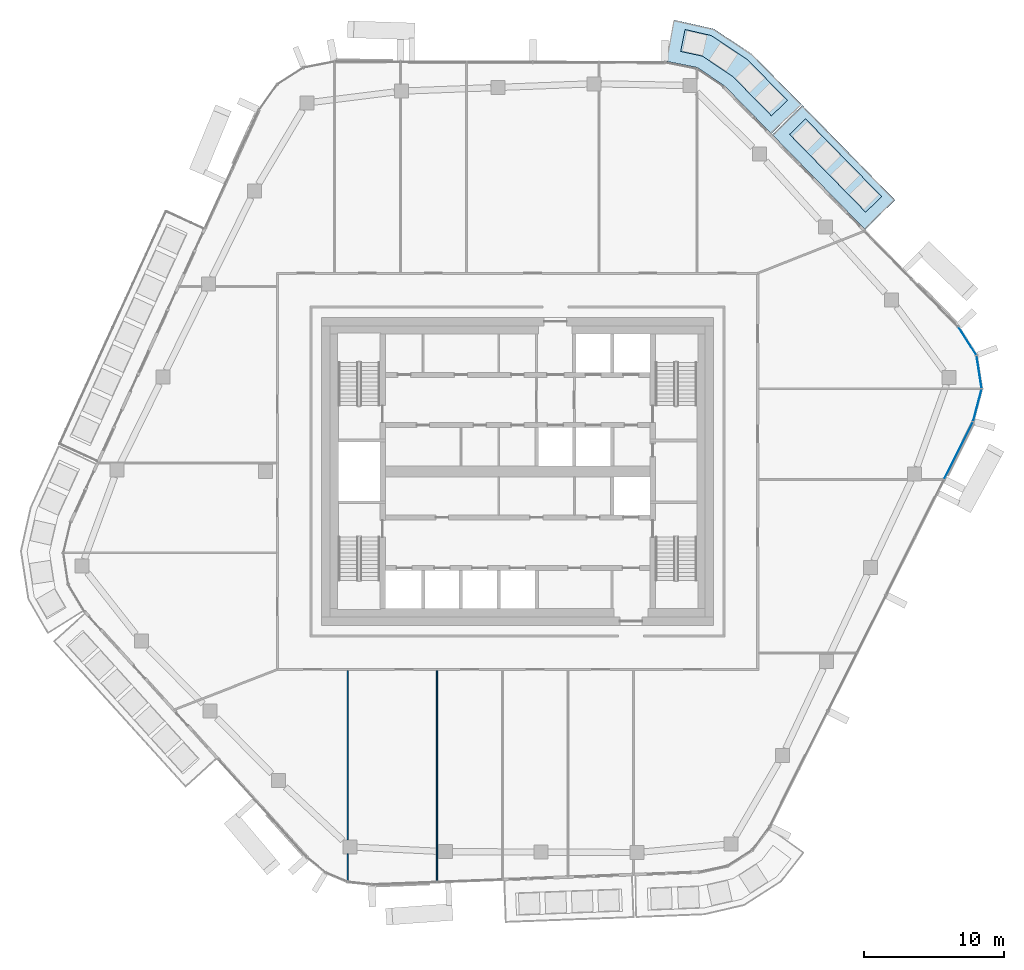
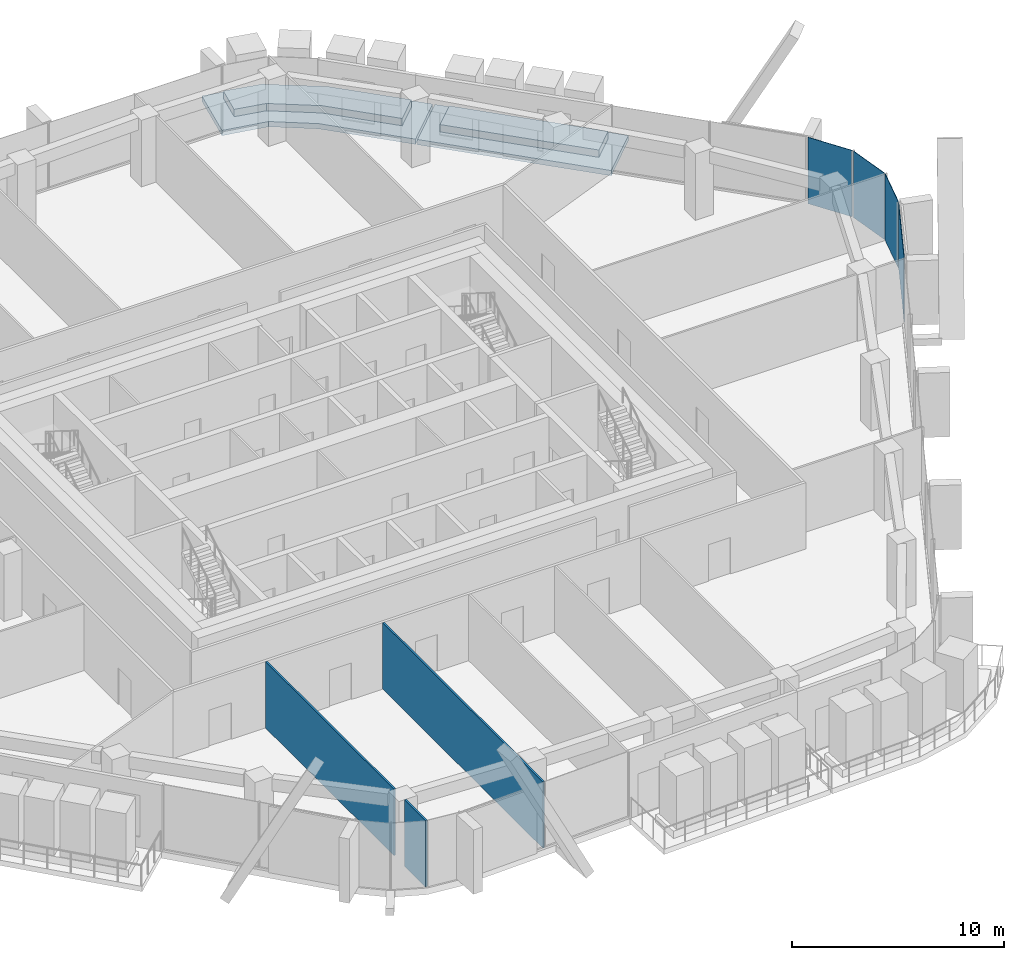
# One storey, part 12 of 24: 4 plates, 4 slabs, 3 walls, 2 elements without a shape of their own.
"""IFC4 building model written with IfcOpenShell, lengths in metres."""

import ifcopenshell
import ifcopenshell.guid

model = None  # the IFC model being written
_history = None  # IfcOwnerHistory: only IFC2X3 demands one
_inside = {}  # id of a spatial element -> (the spatial element, [elements in it])
_under = {}  # id of a project, library or spatial element -> (it, [spatial elements below it])
_declared = {}  # id of a project -> (the project, [libraries it declares])
_typed = {}  # id of a type object -> (the type object, [elements of that type])
_made_of = {}  # id of a material, layer set ... -> (it, [elements and type objects made of it])


def new_model(schema):
    """Start an empty IFC model of exactly this schema.

    Asked for "IFC4X3", IfcOpenShell would pick the latest addendum, in which some entities
    have other attributes; the version numbers below select the first issue.
    IFC2X3 requires an IfcOwnerHistory on every rooted entity: one is made here for all.
    """
    global model, _history
    if schema == "IFC4X3":
        model = ifcopenshell.file(schema_version=(4, 3, 0, 0))
    else:
        model = ifcopenshell.file(schema=schema)
    _inside.clear()
    _under.clear()
    _declared.clear()
    _typed.clear()
    _made_of.clear()
    _history = None
    if model.schema == "IFC2X3":
        org = make("IfcOrganization", Name="unknown")
        user = make(
            "IfcPersonAndOrganization",
            ThePerson=make("IfcPerson", FamilyName="unknown"),
            TheOrganization=org,
        )
        app = make(
            "IfcApplication",
            ApplicationDeveloper=org,
            Version="unknown",
            ApplicationFullName="unknown",
            ApplicationIdentifier="unknown",
        )
        _history = make(
            "IfcOwnerHistory",
            OwningUser=user,
            OwningApplication=app,
            ChangeAction="ADDED",
            CreationDate=0,
        )
    return model


def make(cls, **values):
    """One entity of the class cls with the attributes given. An attribute that is None is left unset."""
    return model.create_entity(
        cls, **{name: value for name, value in values.items() if value is not None}
    )


def rooted(cls, **values):
    """An entity with a GlobalId (a new one), such as an element, a storey or a relation."""
    return make(cls, GlobalId=ifcopenshell.guid.new(), OwnerHistory=_history, **values)


def si_unit(unit_type, name, prefix=None):
    """IfcSIUnit, for example si_unit("LENGTHUNIT", "METRE", prefix="MILLI")."""
    return make("IfcSIUnit", UnitType=unit_type, Prefix=prefix, Name=name)


def assignment(units):
    """IfcUnitAssignment: the units of a project."""
    return None if units is None else make("IfcUnitAssignment", Units=units)


def point(xyz):
    """IfcCartesianPoint."""
    return None if xyz is None else make("IfcCartesianPoint", Coordinates=xyz)


def direction(xyz):
    """IfcDirection."""
    return None if xyz is None else make("IfcDirection", DirectionRatios=xyz)


def frame(location, z_axis=None, x_axis=None):
    """IfcAxis2Placement3D, a coordinate frame: its origin and axes. An axis left out is left unset."""
    return make(
        "IfcAxis2Placement3D",
        Location=point(location),
        Axis=direction(z_axis),
        RefDirection=direction(x_axis),
    )


def frame_2d(location, x_axis=None):
    """IfcAxis2Placement2D, a coordinate frame in the plane: its origin and x axis."""
    return make(
        "IfcAxis2Placement2D", Location=point(location), RefDirection=direction(x_axis)
    )


def origin():
    """The frame at (0, 0, 0) with its axes left unset."""
    return frame((0.0, 0.0, 0.0))


def origin_2d():
    """The frame at (0, 0) in the plane with its x axis left unset."""
    return frame_2d((0.0, 0.0))


def place(relative_to, where):
    """IfcLocalPlacement: puts the frame where relative to a parent placement (None: the world)."""
    return make(
        "IfcLocalPlacement", PlacementRelTo=relative_to, RelativePlacement=where
    )


def context(
    kind, dimensions, precision=None, world=None, true_north=None, identifier=None
):
    """IfcGeometricRepresentationContext, for example the 3D "Model" context."""
    return make(
        "IfcGeometricRepresentationContext",
        ContextIdentifier=identifier,
        ContextType=kind,
        CoordinateSpaceDimension=dimensions,
        Precision=precision,
        WorldCoordinateSystem=world,
        TrueNorth=true_north,
    )


def subcontext(parent, identifier, kind, view, scale=None):
    """IfcGeometricRepresentationSubContext, for example "Body" below "Model"."""
    return make(
        "IfcGeometricRepresentationSubContext",
        ContextIdentifier=identifier,
        ContextType=kind,
        ParentContext=parent,
        TargetScale=scale,
        TargetView=view,
    )


def project(units=None, contexts=None):
    """IfcProject with its units and contexts."""
    return rooted(
        "IfcProject",
        Name="project",
        RepresentationContexts=contexts,
        UnitsInContext=assignment(units),
    )


def spatial(cls, under=None, at=None, **own):
    """A site, building, storey or space (cls), placed at a placement, below another one or the project."""
    s = rooted(cls, ObjectPlacement=at, **own)
    if under is not None:
        _under.setdefault(under.id(), (under, []))[1].append(s)
    return s


def polyline(points):
    """IfcPolyline through the points."""
    return make("IfcPolyline", Points=[point(p) for p in points])


def profile(cls, at=None, kind="AREA", **sizes):
    """A parametric profile (cls). Its sizes go by their IFC names, for example OverallWidth=200.0."""
    return make(cls, ProfileType=kind, Position=at, **sizes)


def rectangle(**sizes):
    """IfcRectangleProfileDef."""
    return profile("IfcRectangleProfileDef", **sizes)


def outline(outer, holes=None, kind="AREA"):
    """IfcArbitraryClosedProfileDef: a profile drawn as a closed curve; with holes, ...WithVoids."""
    if holes is None:
        return make("IfcArbitraryClosedProfileDef", ProfileType=kind, OuterCurve=outer)
    return make(
        "IfcArbitraryProfileDefWithVoids",
        ProfileType=kind,
        OuterCurve=outer,
        InnerCurves=holes,
    )


def extrude(swept, where, along, depth):
    """IfcExtrudedAreaSolid: the profile swept, set in the frame where, extruded along a direction by depth."""
    return make(
        "IfcExtrudedAreaSolid",
        SweptArea=swept,
        Position=where,
        ExtrudedDirection=direction(along),
        Depth=depth,
    )


def shape(context_of_items, identifier, shape_type, items):
    """IfcShapeRepresentation: the items that make up one representation, for example the "Body"."""
    return make(
        "IfcShapeRepresentation",
        ContextOfItems=context_of_items,
        RepresentationIdentifier=identifier,
        RepresentationType=shape_type,
        Items=items,
    )


def material(Name=None, Category=None):
    """IfcMaterial."""
    return make("IfcMaterial", Name=Name, Category=Category)


def layer(
    of_material, thickness, ventilated=None, Name=None, Category=None, Priority=None
):
    """IfcMaterialLayer: one layer of a wall or slab, of a material (None: an air gap)."""
    return make(
        "IfcMaterialLayer",
        Material=of_material,
        LayerThickness=thickness,
        IsVentilated=ventilated,
        Name=Name,
        Category=Category,
        Priority=Priority,
    )


def layer_set(layers, Name=None):
    """IfcMaterialLayerSet."""
    return make("IfcMaterialLayerSet", MaterialLayers=layers, LayerSetName=Name)


def made_of(thing, what):
    """Note that an element or type object is made of a material, layer set ...; save() writes the relation."""
    if what is not None:
        _made_of.setdefault(what.id(), (what, []))[1].append(thing)
    return thing


def type_object(cls, material=None, **own):
    """A type object (cls), such as IfcWallType, which elements share."""
    return made_of(rooted(cls, **own), material)


def element(
    cls,
    number,
    at=None,
    inside=None,
    cuts=None,
    type_object=None,
    material=None,
    context=None,
    identifier="Body",
    shape_type=None,
    held_by="IfcProductDefinitionShape",
    body=None,
    shapes=None,
    **own,
):
    """One element of the class cls, such as IfcWall. Its Tag is "e" and its number.

    at: its placement. inside: the storey or other place that contains it. cuts: it is an
    opening in that element (IfcRelVoidsElement). A single representation is given by context,
    identifier, shape_type and body (its items); several are given by shapes. held_by: the class
    of the entity that holds the representations. save() writes the other relations.
    """
    e = rooted(cls, Tag="e%d" % number, ObjectPlacement=at, **own)
    if body is not None:
        shapes = [shape(context, identifier, shape_type, body)]
    if shapes is not None:
        e.Representation = make(held_by, Representations=shapes)
    if inside is not None:
        _inside.setdefault(inside.id(), (inside, []))[1].append(e)
    if cuts is not None:
        rooted(
            "IfcRelVoidsElement", RelatingBuildingElement=cuts, RelatedOpeningElement=e
        )
    if type_object is not None:
        _typed.setdefault(type_object.id(), (type_object, []))[1].append(e)
    return made_of(e, material)


def aggregate(whole, parts):
    """IfcRelAggregates: a whole, such as a stair, and the parts it consists of."""
    return rooted("IfcRelAggregates", RelatingObject=whole, RelatedObjects=parts)


def save(model, path):
    """Write the relations noted so far, then the file.

    IfcRelAggregates (storeys below a building ...), IfcRelContainedInSpatialStructure (elements
    in a storey), IfcRelDefinesByType, IfcRelAssociatesMaterial and IfcRelDeclares: one each for
    every whole, place, type object, material and project.
    """
    for whole, parts in _under.values():
        aggregate(whole, parts)
    for where, things in _inside.values():
        rooted(
            "IfcRelContainedInSpatialStructure",
            RelatedElements=things,
            RelatingStructure=where,
        )
    for kind, things in _typed.values():
        rooted("IfcRelDefinesByType", RelatedObjects=things, RelatingType=kind)
    for what, things in _made_of.values():
        rooted("IfcRelAssociatesMaterial", RelatedObjects=things, RelatingMaterial=what)
    for by, libraries in _declared.values():
        rooted("IfcRelDeclares", RelatingContext=by, RelatedDefinitions=libraries)
    model.write(path)


model = new_model("IFC4")

# Units and contexts
model_context = context("Model", 3, precision=1e-05, world=origin(), true_north=direction((0.0, 1.0)))
body_context = subcontext(model_context, "Body", "Model", "MODEL_VIEW")
ifc_project = project(units=[si_unit("LENGTHUNIT", "METRE"), si_unit("AREAUNIT", "SQUARE_METRE"), si_unit("VOLUMEUNIT", "CUBIC_METRE"), si_unit("PLANEANGLEUNIT", "RADIAN"), si_unit("MASSUNIT", "GRAM", prefix="KILO")], contexts=[model_context])

# Site, building, storey
site_placement = place(None, origin())
site = spatial("IfcSite", under=ifc_project, at=site_placement, CompositionType="ELEMENT")
building_placement = place(site_placement, origin())
building = spatial("IfcBuilding", under=site, at=building_placement, Name="Dongbaek Canopy Tower", CompositionType="ELEMENT")
storey_placement = place(building_placement, frame((0.0, 0.0, 311.0)))
storey = spatial("IfcBuildingStorey", under=building, at=storey_placement, Name="L66", CompositionType="ELEMENT", Elevation=311.0)

# Slabs
ifc_material_1 = material(Name="Concrete C40/50", Category="concrete")
ifc_layer_1 = layer(ifc_material_1, 0.300048828125)
ifc_layer_set_1 = layer_set([ifc_layer_1], Name="Balcony slab 300")
slab_type_1 = type_object("IfcSlabType", Name="Balcony slab 300", PredefinedType="FLOOR", material=ifc_layer_set_1)
slab_1_placement = place(storey_placement, frame((0.0, 0.0, -0.300048828125)))
element("IfcSlab", 1, at=slab_1_placement, inside=storey, type_object=slab_type_1, Name="Balcony L66 1", PredefinedType="FLOOR", context=body_context, shape_type="SweptSolid", body=[
    extrude(outline(polyline([(24.81884765625, 17.28271484375), (18.192626953125, 24.05517578125), (20.3369140625, 26.153076171875), (26.963134765625, 19.380859375), (24.81884765625, 17.28271484375)])), origin(), (0.0, 0.0, 1.0), 0.300048828125),
])
slab_2_placement = place(storey_placement, frame((0.0, 0.0, -0.300048828125)))
element("IfcSlab", 2, at=slab_2_placement, inside=storey, type_object=slab_type_1, Name="Balcony L66 5", PredefinedType="FLOOR", context=body_context, shape_type="SweptSolid", body=[
    extrude(outline(polyline([(18.122802734375, 24.12646484375), (14.809814453125, 27.5126953125), (12.853271484375, 28.8447265625), (10.5830078125, 29.306640625), (11.18115234375, 32.246337890625), (14.01953125, 31.60888671875), (16.735595703125, 29.81298828125), (20.26708984375, 26.224609375), (18.122802734375, 24.12646484375)])), origin(), (0.0, 0.0, 1.0), 0.300048828125),
])

# Curtain wall, plates
ifc_material_2 = material(Name="Aluminium 6063-T6 pale anodised", Category="aluminium")
ifc_layer_2 = layer(ifc_material_2, 0.199951171875)
ifc_layer_set_2 = layer_set([ifc_layer_2], Name="CW-1 unitised tower curtain wall")
curtain_wall_type = type_object("IfcCurtainWallType", Name="CW-1 unitised tower curtain wall", PredefinedType="NOTDEFINED", material=ifc_layer_set_2)
curtain_wall_1_placement = place(storey_placement, origin())
curtain_wall_1 = element("IfcCurtainWall", 3, at=curtain_wall_1_placement, inside=storey, type_object=curtain_wall_type, Name="CW-1 curtain wall K0.1", PredefinedType="NOTDEFINED")
ifc_material_3 = material(Name="Clear laminated glass", Category="glass")
ifc_layer_3 = layer(ifc_material_3, 0.028076171875)
ifc_layer_set_3 = layer_set([ifc_layer_3], Name="CW-1 glazed panel 28")
plate_type = type_object("IfcPlateType", Name="CW-1 glazed panel 28", PredefinedType="CURTAIN_PANEL", material=ifc_layer_set_3)
plate_1_placement = place(storey_placement, frame((32.840087890625, 4.72607421875, 0.0), z_axis=(0.0, 0.0, 1.0), x_axis=(0.255710608049, 0.966753373375, 0.0)))
plate_1 = element("IfcPlate", 4, at=plate_1_placement, type_object=plate_type, Name="CW-1 panel K0.1.1.1", PredefinedType="CURTAIN_PANEL", context=body_context, shape_type="SweptSolid", body=[
    extrude(rectangle(XDim=2.346435546875, YDim=0.028076171875, at=origin_2d()), origin(), (0.0, 0.0, 1.0), 3.820068359375),
])
plate_2_placement = place(storey_placement, frame((32.964599609375, 7.096435546875, 0.0), z_axis=(0.0, 0.0, 1.0), x_axis=(-0.154029397181, 0.988066265391, 0.0)))
plate_2 = element("IfcPlate", 5, at=plate_2_placement, type_object=plate_type, Name="CW-1 panel K0.1.2.1", PredefinedType="CURTAIN_PANEL", context=body_context, shape_type="SweptSolid", body=[
    extrude(rectangle(XDim=2.3359375, YDim=0.028076171875, at=origin_2d()), origin(), (0.0, 0.0, 1.0), 3.820068359375),
])
plate_3_placement = place(storey_placement, frame((32.12451171875, 9.31640625, 0.0), z_axis=(0.0, 0.0, 1.0), x_axis=(-0.537839922509, 0.843046984311, 0.0)))
plate_3 = element("IfcPlate", 6, at=plate_3_placement, type_object=plate_type, Name="CW-1 panel K0.1.3.1", PredefinedType="CURTAIN_PANEL", context=body_context, shape_type="SweptSolid", body=[
    extrude(rectangle(XDim=2.346435546875, YDim=0.028076171875, at=origin_2d()), origin(), (0.0, 0.0, 1.0), 3.820068359375),
])
aggregate(curtain_wall_1, [plate_1, plate_2, plate_3])

# Curtain wall, plate
curtain_wall_2_placement = place(storey_placement, origin())
curtain_wall_2 = element("IfcCurtainWall", 7, at=curtain_wall_2_placement, inside=storey, type_object=curtain_wall_type, Name="CW-1 curtain wall F5.1", PredefinedType="NOTDEFINED")
plate_4_placement = place(storey_placement, frame((31.494384765625, 1.489013671875, 0.1201171875), z_axis=(0.0, 0.0, 1.0), x_axis=(0.448598466859, 0.893733414129, 0.0)))
plate_4 = element("IfcPlate", 8, at=plate_4_placement, type_object=plate_type, Name="CW-1 panel F5.1.7.1", PredefinedType="CURTAIN_PANEL", context=body_context, shape_type="SweptSolid", body=[
    extrude(rectangle(XDim=4.531005859375, YDim=0.028076171875, at=origin_2d()), origin(), (0.0, 0.0, 1.0), 3.699951171875),
])
aggregate(curtain_wall_2, [plate_4])

# Slabs
ifc_material_4 = material(Name="Reinforced concrete C40/50 planter box with soil", Category="concrete")
ifc_layer_4 = layer(ifc_material_4, 0.419921875)
ifc_layer_set_4 = layer_set([ifc_layer_4], Name="Terrace planter box 1600 x 420")
slab_type_2 = type_object("IfcSlabType", Name="Terrace planter box 1600 x 420", PredefinedType="USERDEFINED", material=ifc_layer_set_4)
slab_3_placement = place(storey_placement, origin())
element("IfcSlab", 9, at=slab_3_placement, inside=storey, type_object=slab_type_2, Name="Balcony planter L66 1", ObjectType="PLANTER", PredefinedType="USERDEFINED", context=body_context, shape_type="SweptSolid", body=[
    extrude(outline(polyline([(24.8603515625, 18.5126953125), (19.42333984375, 24.06982421875), (20.56689453125, 25.18896484375), (26.004150390625, 19.6318359375), (24.8603515625, 18.5126953125)])), origin(), (0.0, 0.0, 1.0), 0.419921875),
])
slab_4_placement = place(storey_placement, origin())
element("IfcSlab", 10, at=slab_4_placement, inside=storey, type_object=slab_type_2, Name="Balcony planter L66 5", ObjectType="PLANTER", PredefinedType="USERDEFINED", context=body_context, shape_type="SweptSolid", body=[
    extrude(outline(polyline([(18.12939453125, 25.392333984375), (15.381103515625, 28.195068359375), (13.199462890625, 29.664794921875), (11.642578125, 29.999267578125), (11.96142578125, 31.567138671875), (13.8212890625, 31.138916015625), (16.408203125, 29.421875), (19.273193359375, 26.51123046875), (18.12939453125, 25.392333984375)])), origin(), (0.0, 0.0, 1.0), 0.419921875),
])

# Walls
ifc_material_5 = material(Name="Gypsum board partition, steel stud, 2 x 12.5 mm board", Category="steel")
ifc_layer_5 = layer(ifc_material_5, 0.10009765625)
ifc_layer_set_5 = layer_set([ifc_layer_5], Name="Partition 100 gypsum board")
wall_type = type_object("IfcWallType", Name="Partition 100 gypsum board", PredefinedType="PARTITIONING", material=ifc_layer_set_5)
wall_1_placement = place(storey_placement, frame((-5.758056640625, -29.31201171875, 0.0), z_axis=(0.0, 0.0, 1.0), x_axis=(0.0, 1.0, 0.0)))
element("IfcWall", 11, at=wall_1_placement, inside=storey, type_object=wall_type, Name="Partition", PredefinedType="PARTITIONING", context=body_context, shape_type="SweptSolid", body=[
    extrude(rectangle(XDim=15.0869140625, YDim=0.10009765625, at=frame_2d((7.54345703125, 0.0))), origin(), (0.0, 0.0, 1.0), 3.820068359375),
])
wall_2_placement = place(storey_placement, frame((-12.136962890625, -29.302001953125, 0.0), z_axis=(0.0, 0.0, 1.0), x_axis=(0.0, 1.0, 0.0)))
element("IfcWall", 12, at=wall_2_placement, inside=storey, type_object=wall_type, Name="Partition", PredefinedType="PARTITIONING", context=body_context, shape_type="SweptSolid", body=[
    extrude(rectangle(XDim=1.970947265625, YDim=0.10009765625, at=frame_2d((0.9853515625, 0.0))), origin(), (0.0, 0.0, 1.0), 3.820068359375),
])
wall_3_placement = place(storey_placement, frame((-12.136962890625, -26.3310546875, 0.0), z_axis=(0.0, 0.0, 1.0), x_axis=(0.0, 1.0, 0.0)))
element("IfcWall", 13, at=wall_3_placement, inside=storey, type_object=wall_type, Name="Partition", PredefinedType="PARTITIONING", context=body_context, shape_type="SweptSolid", body=[
    extrude(rectangle(XDim=12.10595703125, YDim=0.10009765625, at=frame_2d((6.052978515625, 0.0))), origin(), (0.0, 0.0, 1.0), 3.820068359375),
])

save(model, "model.ifc")
